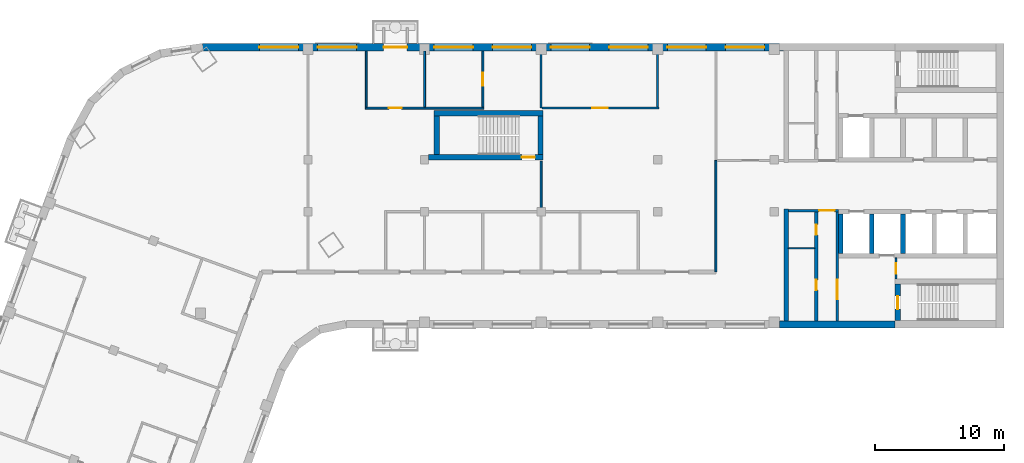
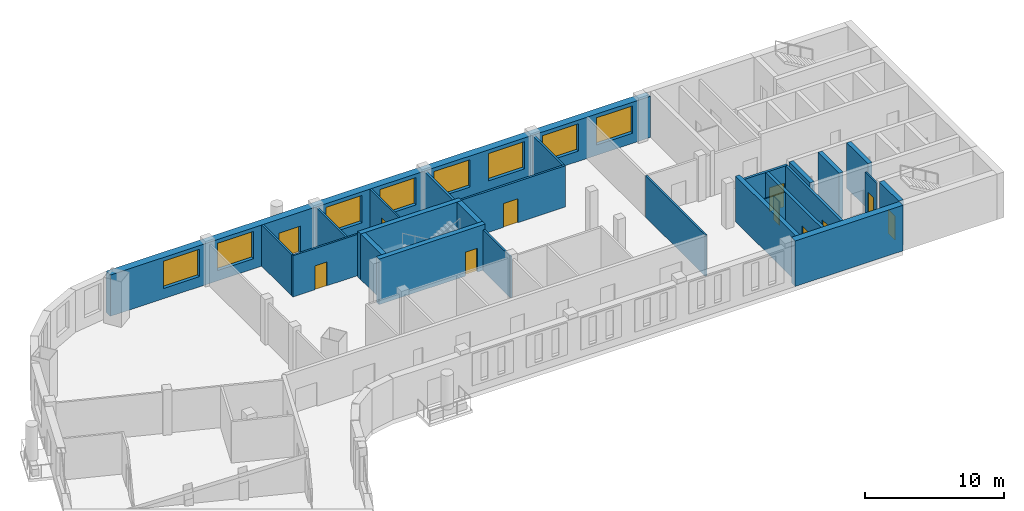
# One storey, part 5 of 10: 25 walls, 11 doors, 8 windows, 19 openings.
"""IFC4 building model written with IfcOpenShell, lengths in metres."""

from ifc_helpers import new_model, si_unit, direction, frame, frame_2d, origin, place, context, subcontext, project, spatial, rectangle, extrude, material, layer, layer_set, type_object, element, fill, save


model = new_model("IFC4")

# Units and contexts
model_context = context("Model", 3, precision=1e-05, world=origin(), true_north=direction((0.0, 1.0)))
body_context = subcontext(model_context, "Body", "Model", "MODEL_VIEW")
ifc_project = project(units=[si_unit("LENGTHUNIT", "METRE"), si_unit("AREAUNIT", "SQUARE_METRE"), si_unit("VOLUMEUNIT", "CUBIC_METRE"), si_unit("PLANEANGLEUNIT", "RADIAN"), si_unit("MASSUNIT", "GRAM", prefix="KILO")], contexts=[model_context])

# Site, building, storey
site_placement = place(None, origin())
site = spatial("IfcSite", under=ifc_project, at=site_placement, CompositionType="ELEMENT")
building_placement = place(site_placement, origin())
building = spatial("IfcBuilding", under=site, at=building_placement, Name="Skarvind Civic Tower", CompositionType="ELEMENT")
storey_placement = place(building_placement, frame((0.0, 0.0, 178.5)))
storey = spatial("IfcBuildingStorey", under=building, at=storey_placement, Name="L42", CompositionType="ELEMENT", Elevation=178.5)

# Wall
ifc_material_1 = material(Name="Acoustic gypsum board on steel studs", Category="steel")
ifc_layer_1 = layer(ifc_material_1, 0.175048828125)
ifc_layer_set_1 = layer_set([ifc_layer_1], Name="ACOUSTIC MEETING-ROOM PARTITION 175")
wall_type_1 = type_object("IfcWallType", Name="ACOUSTIC MEETING-ROOM PARTITION 175", PredefinedType="PARTITIONING", material=ifc_layer_set_1)
wall_1_placement = place(storey_placement, frame((72.25, 134.0, 0.0), z_axis=(0.0, 0.0, 1.0), x_axis=(0.0, 1.0, 0.0)))
element("IfcWall", 1, at=wall_1_placement, inside=storey, type_object=wall_type_1, Name="Partition 42.040", PredefinedType="PARTITIONING", context=body_context, shape_type="SweptSolid", body=[
    extrude(rectangle(XDim=4.39990234375, YDim=0.175048828125, at=frame_2d((2.199951171875, 0.0))), origin(), (0.0, 0.0, 1.0), 3.625),
])

# Wall, opening, door
wall_2_placement = place(storey_placement, frame((81.337890625, 134.0, 0.0), z_axis=(0.0, 0.0, 1.0), x_axis=(-1.0, 0.0, 0.0)))
wall_2 = element("IfcWall", 2, at=wall_2_placement, inside=storey, type_object=wall_type_1, Name="Partition 42.045", PredefinedType="PARTITIONING", context=body_context, shape_type="SweptSolid", body=[
    extrude(rectangle(XDim=9.0, YDim=0.175048828125, at=frame_2d((4.5, 0.0))), origin(), (0.0, 0.0, 1.0), 3.625),
])
opening_1_placement = place(wall_2_placement, frame((3.9541015625, 0.0, 0.0)))
opening_1 = element("IfcOpeningElement", 3, at=opening_1_placement, cuts=wall_2, Name="Opening L42-D004", PredefinedType="OPENING", context=body_context, shape_type="SweptSolid", body=[
    extrude(rectangle(XDim=1.199951171875, YDim=2.10009765625, at=frame_2d((0.60009765625, 1.050048828125))), frame((0.0, 0.097412109375, 0.0), z_axis=(0.0, -1.0, 0.0), x_axis=(1.0, 0.0, 0.0)), (0.0, 0.0, 1.0), 0.195068359375),
])
ifc_material_2 = material(Name="Timber door leaf", Category="wood")
door_type_1 = type_object("IfcDoorType", Name="DOOR 1200X2100 DOUBLE TIMBER", OperationType="NOTDEFINED", PredefinedType="DOOR", material=ifc_material_2)
door_1_placement = place(opening_1_placement, origin())
door_1 = element("IfcDoor", 4, at=door_1_placement, inside=storey, type_object=door_type_1, Name="Door L42-D004", OperationType="DOUBLE_DOOR_SINGLE_SWING", OverallHeight=2.10009765625, OverallWidth=1.199951171875, PredefinedType="DOOR", context=body_context, shape_type="SweptSolid", body=[
    extrude(rectangle(XDim=1.199951171875, YDim=2.10009765625, at=frame_2d((0.60009765625, 1.050048828125))), frame((0.0, 0.02490234375, 0.0), z_axis=(0.0, -1.0, 0.0), x_axis=(1.0, 0.0, 0.0)), (0.0, 0.0, 1.0), 0.050048828125),
])
fill(opening_1, door_1)

# Wall
wall_3_placement = place(storey_placement, frame((81.25, 138.39990234375, 0.0), z_axis=(0.0, 0.0, 1.0), x_axis=(0.0, -1.0, 0.0)))
element("IfcWall", 5, at=wall_3_placement, inside=storey, type_object=wall_type_1, Name="Partition 42.046", PredefinedType="PARTITIONING", context=body_context, shape_type="SweptSolid", body=[
    extrude(rectangle(XDim=4.31201171875, YDim=0.175048828125, at=frame_2d((2.156005859375, 0.0))), origin(), (0.0, 0.0, 1.0), 3.625),
])

# Wall, opening, door
ifc_material_3 = material(Name="Fire-rated masonry partition", Category="masonry")
ifc_layer_2 = layer(ifc_material_3, 0.199951171875)
ifc_layer_set_2 = layer_set([ifc_layer_2], Name="Core enclosure wall 200")
wall_type_2 = type_object("IfcWallType", Name="Core enclosure wall 200", PredefinedType="PARTITIONING", material=ifc_layer_set_2)
wall_4_placement = place(storey_placement, frame((95.22509765625, 126.074951171875, 0.0), z_axis=(0.0, 0.0, 1.0), x_axis=(-1.0, 0.0, 0.0)))
wall_4 = element("IfcWall", 6, at=wall_4_placement, inside=storey, type_object=wall_type_2, Name="Core wall C1", PredefinedType="PARTITIONING", context=body_context, shape_type="SweptSolid", body=[
    extrude(rectangle(XDim=3.875, YDim=0.199951171875, at=frame_2d((1.9375, 0.0))), origin(), (0.0, 0.0, 1.0), 3.625),
])
opening_2_placement = place(wall_4_placement, frame((0.300048828125, 0.0, 0.0)))
opening_2 = element("IfcOpeningElement", 7, at=opening_2_placement, cuts=wall_4, Name="Opening D-L42-C1-07", PredefinedType="OPENING", context=body_context, shape_type="SweptSolid", body=[
    extrude(rectangle(XDim=1.199951171875, YDim=2.10009765625, at=frame_2d((0.60009765625, 1.050048828125))), frame((0.0, 0.10986328125, 0.0), z_axis=(0.0, -1.0, 0.0), x_axis=(1.0, 0.0, 0.0)), (0.0, 0.0, 1.0), 0.219970703125),
])
ifc_material_4 = material(Name="Fire-rated steel door", Category="steel")
door_type_2 = type_object("IfcDoorType", Name="Core lobby door 1200", OperationType="NOTDEFINED", PredefinedType="DOOR", material=ifc_material_4)
door_2_placement = place(opening_2_placement, origin())
door_2 = element("IfcDoor", 8, at=door_2_placement, inside=storey, type_object=door_type_2, Name="Fire door", OperationType="DOUBLE_DOOR_SINGLE_SWING", OverallHeight=2.10009765625, OverallWidth=1.199951171875, PredefinedType="DOOR", context=body_context, shape_type="SweptSolid", body=[
    extrude(rectangle(XDim=1.199951171875, YDim=2.10009765625, at=frame_2d((0.60009765625, 1.050048828125))), frame((0.0, 0.02490234375, 0.0), z_axis=(0.0, -1.0, 0.0), x_axis=(1.0, 0.0, 0.0)), (0.0, 0.0, 1.0), 0.050048828125),
])
fill(opening_2, door_2)

wall_5_placement = place(storey_placement, frame((95.125, 117.550048828125, 0.0), z_axis=(0.0, 0.0, 1.0), x_axis=(0.0, 1.0, 0.0)))
wall_5 = element("IfcWall", 9, at=wall_5_placement, inside=storey, type_object=wall_type_2, Name="Core wall C1", PredefinedType="PARTITIONING", context=body_context, shape_type="SweptSolid", body=[
    extrude(rectangle(XDim=8.425048828125, YDim=0.199951171875, at=frame_2d((4.21240234375, 0.0))), origin(), (0.0, 0.0, 1.0), 3.625),
])
opening_3_placement = place(wall_5_placement, frame((1.6875, 0.0, 0.0)))
opening_3 = element("IfcOpeningElement", 10, at=opening_3_placement, cuts=wall_5, Name="Opening D-L42-C1-08", PredefinedType="OPENING", context=body_context, shape_type="SweptSolid", body=[
    extrude(rectangle(XDim=1.5, YDim=2.10009765625, at=frame_2d((0.75, 1.050048828125))), frame((0.0, 0.10986328125, 0.0), z_axis=(0.0, -1.0, 0.0), x_axis=(1.0, 0.0, 0.0)), (0.0, 0.0, 1.0), 0.219970703125),
])
door_type_3 = type_object("IfcDoorType", Name="Fire door 1500", OperationType="NOTDEFINED", PredefinedType="DOOR", material=ifc_material_4)
door_3_placement = place(opening_3_placement, origin())
door_3 = element("IfcDoor", 11, at=door_3_placement, inside=storey, type_object=door_type_3, Name="Fire door", OperationType="DOUBLE_DOOR_SINGLE_SWING", OverallHeight=2.10009765625, OverallWidth=1.5, PredefinedType="DOOR", context=body_context, shape_type="SweptSolid", body=[
    extrude(rectangle(XDim=1.5, YDim=2.10009765625, at=frame_2d((0.75, 1.050048828125))), frame((0.0, 0.02490234375, 0.0), z_axis=(0.0, -1.0, 0.0), x_axis=(1.0, 0.0, 0.0)), (0.0, 0.0, 1.0), 0.050048828125),
])
fill(opening_3, door_3)

# Walls
ifc_material_5 = material(Name="Fire-rated plasterboard partition")
ifc_layer_3 = layer(ifc_material_5, 0.10009765625)
ifc_layer_set_3 = layer_set([ifc_layer_3], Name="Core partition wall 100")
wall_type_3 = type_object("IfcWallType", Name="Core partition wall 100", PredefinedType="PARTITIONING", material=ifc_layer_set_3)
wall_6_placement = place(storey_placement, frame((93.375, 123.169921875, 0.0), z_axis=(0.0, 0.0, 1.0), x_axis=(-1.0, 0.0, 0.0)))
element("IfcWall", 12, at=wall_6_placement, inside=storey, type_object=wall_type_3, Name="Core wall C1", PredefinedType="PARTITIONING", context=body_context, shape_type="SweptSolid", body=[
    extrude(rectangle(XDim=2.02490234375, YDim=0.10009765625, at=frame_2d((1.012451171875, 0.0))), origin(), (0.0, 0.0, 1.0), 3.625),
])
ifc_material_6 = material(Name="Concrete C60", Category="concrete")
ifc_layer_4 = layer(ifc_material_6, 0.35009765625)
ifc_layer_set_4 = layer_set([ifc_layer_4], Name="Core wall 350 C60")
wall_type_4 = type_object("IfcWallType", Name="Core wall 350 C60", PredefinedType="SHEAR", material=ifc_layer_set_4)
for number, where, z_axis, x_axis, name in (
    (13, (100.199951171875, 125.824951171875, 0.0), (0.0, 0.0, 1.0), (0.0, -1.0, 0.0), "Core wall C1 north lift row division 3 L42"),
    (14, (97.800048828125, 125.824951171875, 0.0), (0.0, 0.0, 1.0), (0.0, -1.0, 0.0), "Core wall C1 north lift row division 4 L42"),
    (15, (95.39990234375, 125.824951171875, 0.0), (0.0, 0.0, 1.0), (0.0, -1.0, 0.0), "Core wall C1 north lift row division 5 L42"),
):
    element("IfcWall", number, at=place(storey_placement, frame(where, z_axis=z_axis, x_axis=x_axis)), inside=storey, type_object=wall_type_4, Name=name, PredefinedType="SHEAR", context=body_context, shape_type="SweptSolid", body=[
        extrude(rectangle(XDim=3.050048828125, YDim=0.35009765625, at=frame_2d((1.52490234375, 0.0))), origin(), (0.0, 0.0, 1.0), 4.0),
    ])
wall_7_placement = place(storey_placement, frame((91.175048828125, 126.199951171875, 0.0), z_axis=(0.0, 0.0, 1.0), x_axis=(0.0, -1.0, 0.0)))
element("IfcWall", 16, at=wall_7_placement, inside=storey, type_object=wall_type_4, Name="Core wall C1 north inner face L42", PredefinedType="SHEAR", context=body_context, shape_type="SweptSolid", body=[
    extrude(rectangle(XDim=8.64990234375, YDim=0.35009765625, at=frame_2d((4.324951171875, 0.0))), origin(), (0.0, 0.0, 1.0), 4.0),
])

# Wall, opening, door
ifc_layer_5 = layer(ifc_material_6, 0.39990234375)
ifc_layer_set_5 = layer_set([ifc_layer_5], Name="Core wall 400 C60")
wall_type_5 = type_object("IfcWallType", Name="Core wall 400 C60", PredefinedType="SHEAR", material=ifc_layer_set_5)
wall_8_placement = place(storey_placement, frame((99.800048828125, 120.39990234375, 0.0), z_axis=(0.0, 0.0, 1.0), x_axis=(0.0, -1.0, 0.0)))
wall_8 = element("IfcWall", 17, at=wall_8_placement, inside=storey, type_object=wall_type_5, Name="Core wall C1 north stair end L42", PredefinedType="SHEAR", context=body_context, shape_type="SweptSolid", body=[
    extrude(rectangle(XDim=2.7998046875, YDim=0.39990234375, at=frame_2d((1.39990234375, 0.0))), origin(), (0.0, 0.0, 1.0), 4.0),
])
opening_4_placement = place(wall_8_placement, frame((0.925048828125, 0.0, 0.0)))
opening_4 = element("IfcOpeningElement", 18, at=opening_4_placement, cuts=wall_8, Name="Opening D-L42-C1-09", PredefinedType="OPENING", context=body_context, shape_type="SweptSolid", body=[
    extrude(rectangle(XDim=1.0, YDim=2.10009765625, at=frame_2d((0.5, 1.050048828125))), frame((0.0, 0.2099609375, 0.0), z_axis=(0.0, -1.0, 0.0), x_axis=(1.0, 0.0, 0.0)), (0.0, 0.0, 1.0), 0.419921875),
])
door_type_4 = type_object("IfcDoorType", Name="Fire door 1000", OperationType="NOTDEFINED", PredefinedType="DOOR", material=ifc_material_4)
door_4_placement = place(opening_4_placement, origin())
door_4 = element("IfcDoor", 19, at=door_4_placement, inside=storey, type_object=door_type_4, Name="Fire door", OperationType="SINGLE_SWING_LEFT", OverallHeight=2.10009765625, OverallWidth=1.0, PredefinedType="DOOR", context=body_context, shape_type="SweptSolid", body=[
    extrude(rectangle(XDim=1.0, YDim=2.10009765625, at=frame_2d((0.5, 1.050048828125))), frame((0.0, 0.02490234375, 0.0), z_axis=(0.0, -1.0, 0.0), x_axis=(1.0, 0.0, 0.0)), (0.0, 0.0, 1.0), 0.050048828125),
])
fill(opening_4, door_4)

wall_9_placement = place(storey_placement, frame((63.574951171875, 130.199951171875, 0.0), z_axis=(0.0, 0.0, 1.0), x_axis=(1.0, 0.0, 0.0)))
wall_9 = element("IfcWall", 20, at=wall_9_placement, inside=storey, type_object=wall_type_5, Name="Core wall CM inner L42", PredefinedType="SHEAR", context=body_context, shape_type="SweptSolid", body=[
    extrude(rectangle(XDim=8.824951171875, YDim=0.39990234375, at=frame_2d((4.41259765625, 0.0))), origin(), (0.0, 0.0, 1.0), 4.0),
])
opening_5_placement = place(wall_9_placement, frame((7.199951171875, 0.0, 0.0)))
opening_5 = element("IfcOpeningElement", 21, at=opening_5_placement, cuts=wall_9, Name="Opening D-L42-CM-01", PredefinedType="OPENING", context=body_context, shape_type="SweptSolid", body=[
    extrude(rectangle(XDim=1.0, YDim=2.10009765625, at=frame_2d((0.5, 1.050048828125))), frame((0.0, 0.2099609375, 0.0), z_axis=(0.0, -1.0, 0.0), x_axis=(1.0, 0.0, 0.0)), (0.0, 0.0, 1.0), 0.419921875),
])
door_5_placement = place(opening_5_placement, origin())
door_5 = element("IfcDoor", 22, at=door_5_placement, inside=storey, type_object=door_type_4, Name="Fire door", OperationType="SINGLE_SWING_LEFT", OverallHeight=2.10009765625, OverallWidth=1.0, PredefinedType="DOOR", context=body_context, shape_type="SweptSolid", body=[
    extrude(rectangle(XDim=1.0, YDim=2.10009765625, at=frame_2d((0.5, 1.050048828125))), frame((0.0, 0.02490234375, 0.0), z_axis=(0.0, -1.0, 0.0), x_axis=(1.0, 0.0, 0.0)), (0.0, 0.0, 1.0), 0.050048828125),
])
fill(opening_5, door_5)

# Walls
wall_10_placement = place(storey_placement, frame((64.0, 133.60009765625, 0.0), z_axis=(0.0, 0.0, 1.0), x_axis=(1.0, 0.0, 0.0)))
element("IfcWall", 23, at=wall_10_placement, inside=storey, type_object=wall_type_5, Name="Core wall CM outer L42", PredefinedType="SHEAR", context=body_context, shape_type="SweptSolid", body=[
    extrude(rectangle(XDim=8.39990234375, YDim=0.39990234375, at=frame_2d((4.199951171875, 0.0))), origin(), (0.0, 0.0, 1.0), 4.0),
])
for number, where, z_axis, x_axis, name in (
    (24, (64.199951171875, 130.39990234375, 0.0), (0.0, 0.0, 1.0), (0.0, 1.0, 0.0), "Core wall CM west L42"),
    (25, (72.199951171875, 130.39990234375, 0.0), (0.0, 0.0, 1.0), (0.0, 1.0, 0.0), "Core wall CM end L42"),
):
    element("IfcWall", number, at=place(storey_placement, frame(where, z_axis=z_axis, x_axis=x_axis)), inside=storey, type_object=wall_type_5, Name=name, PredefinedType="SHEAR", context=body_context, shape_type="SweptSolid", body=[
        extrude(rectangle(XDim=3.0, YDim=0.39990234375, at=frame_2d((1.5, 0.0))), origin(), (0.0, 0.0, 1.0), 4.0),
    ])
ifc_layer_6 = layer(ifc_material_6, 0.550048828125)
ifc_layer_set_6 = layer_set([ifc_layer_6], Name="Core wall 550 C60")
wall_type_6 = type_object("IfcWallType", Name="Core wall 550 C60", PredefinedType="SHEAR", material=ifc_layer_set_6)
wall_11_placement = place(storey_placement, frame((99.60009765625, 117.27490234375, 0.0), z_axis=(0.0, 0.0, 1.0), x_axis=(-1.0, 0.0, 0.0)))
element("IfcWall", 26, at=wall_11_placement, inside=storey, type_object=wall_type_6, Name="Core wall C1 north side L42", PredefinedType="SHEAR", context=body_context, shape_type="SweptSolid", body=[
    extrude(rectangle(XDim=8.9501953125, YDim=0.550048828125, at=frame_2d((4.47509765625, 0.0))), origin(), (0.0, 0.0, 1.0), 4.0),
])
ifc_material_7 = material(Name="Plasterboard partition on steel studs", Category="steel")
ifc_layer_7 = layer(ifc_material_7, 0.14990234375)
ifc_layer_set_7 = layer_set([ifc_layer_7], Name="PARTITION 150")
wall_type_7 = type_object("IfcWallType", Name="PARTITION 150", PredefinedType="PARTITIONING", material=ifc_layer_set_7)
wall_12_placement = place(storey_placement, frame((58.75, 134.074951171875, 0.0), z_axis=(0.0, 0.0, 1.0), x_axis=(0.0, 1.0, 0.0)))
element("IfcWall", 27, at=wall_12_placement, inside=storey, type_object=wall_type_7, Name="Partition 42.028", PredefinedType="PARTITIONING", context=body_context, shape_type="SweptSolid", body=[
    extrude(rectangle(XDim=4.324951171875, YDim=0.14990234375, at=frame_2d((2.16259765625, 0.0))), origin(), (0.0, 0.0, 1.0), 3.625),
])

# Wall, opening, door
wall_13_placement = place(storey_placement, frame((67.824951171875, 134.0, 0.0), z_axis=(0.0, 0.0, 1.0), x_axis=(-1.0, 0.0, 0.0)))
wall_13 = element("IfcWall", 28, at=wall_13_placement, inside=storey, type_object=wall_type_7, Name="Partition 42.029", PredefinedType="PARTITIONING", context=body_context, shape_type="SweptSolid", body=[
    extrude(rectangle(XDim=9.14990234375, YDim=0.14990234375, at=frame_2d((4.574951171875, 0.0))), origin(), (0.0, 0.0, 1.0), 3.625),
])
opening_6_placement = place(wall_13_placement, frame((6.324951171875, 0.0, 0.0)))
opening_6 = element("IfcOpeningElement", 29, at=opening_6_placement, cuts=wall_13, Name="Opening L42-D010", PredefinedType="OPENING", context=body_context, shape_type="SweptSolid", body=[
    extrude(rectangle(XDim=1.0, YDim=2.10009765625, at=frame_2d((0.5, 1.050048828125))), frame((0.0, 0.0849609375, 0.0), z_axis=(0.0, -1.0, 0.0), x_axis=(1.0, 0.0, 0.0)), (0.0, 0.0, 1.0), 0.169921875),
])
door_type_5 = type_object("IfcDoorType", Name="D1 1000x2100", OperationType="NOTDEFINED", PredefinedType="DOOR", material=ifc_material_2)
door_6_placement = place(opening_6_placement, origin())
door_6 = element("IfcDoor", 30, at=door_6_placement, inside=storey, type_object=door_type_5, Name="Door L42-D010", OperationType="SINGLE_SWING_RIGHT", OverallHeight=2.10009765625, OverallWidth=1.0, PredefinedType="DOOR", context=body_context, shape_type="SweptSolid", body=[
    extrude(rectangle(XDim=1.0, YDim=2.10009765625, at=frame_2d((0.5, 1.050048828125))), frame((0.0, 0.02490234375, 0.0), z_axis=(0.0, -1.0, 0.0), x_axis=(1.0, 0.0, 0.0)), (0.0, 0.0, 1.0), 0.050048828125),
])
fill(opening_6, door_6)

# Wall
wall_14_placement = place(storey_placement, frame((63.25, 134.074951171875, 0.0), z_axis=(0.0, 0.0, 1.0), x_axis=(0.0, 1.0, 0.0)))
element("IfcWall", 31, at=wall_14_placement, inside=storey, type_object=wall_type_7, Name="Partition 42.034", PredefinedType="PARTITIONING", context=body_context, shape_type="SweptSolid", body=[
    extrude(rectangle(XDim=4.324951171875, YDim=0.14990234375, at=frame_2d((2.16259765625, 0.0))), origin(), (0.0, 0.0, 1.0), 3.625),
])

# Wall, opening, door
wall_15_placement = place(storey_placement, frame((67.75, 138.39990234375, 0.0), z_axis=(0.0, 0.0, 1.0), x_axis=(0.0, -1.0, 0.0)))
wall_15 = element("IfcWall", 32, at=wall_15_placement, inside=storey, type_object=wall_type_7, Name="Partition 42.036", PredefinedType="PARTITIONING", context=body_context, shape_type="SweptSolid", body=[
    extrude(rectangle(XDim=4.324951171875, YDim=0.14990234375, at=frame_2d((2.16259765625, 0.0))), origin(), (0.0, 0.0, 1.0), 3.625),
])
opening_7_placement = place(wall_15_placement, frame((1.672607421875, 0.0, 0.0)))
opening_7 = element("IfcOpeningElement", 33, at=opening_7_placement, cuts=wall_15, Name="Opening L42-D009", PredefinedType="OPENING", context=body_context, shape_type="SweptSolid", body=[
    extrude(rectangle(XDim=1.0, YDim=2.10009765625, at=frame_2d((0.5, 1.050048828125))), frame((0.0, 0.0849609375, 0.0), z_axis=(0.0, -1.0, 0.0), x_axis=(1.0, 0.0, 0.0)), (0.0, 0.0, 1.0), 0.169921875),
])
door_7_placement = place(opening_7_placement, origin())
door_7 = element("IfcDoor", 34, at=door_7_placement, inside=storey, type_object=door_type_5, Name="Door L42-D009", OperationType="SINGLE_SWING_LEFT", OverallHeight=2.10009765625, OverallWidth=1.0, PredefinedType="DOOR", context=body_context, shape_type="SweptSolid", body=[
    extrude(rectangle(XDim=1.0, YDim=2.10009765625, at=frame_2d((0.5, 1.050048828125))), frame((0.0, 0.02490234375, 0.0), z_axis=(0.0, -1.0, 0.0), x_axis=(1.0, 0.0, 0.0)), (0.0, 0.0, 1.0), 0.050048828125),
])
fill(opening_7, door_7)

# Walls
wall_16_placement = place(storey_placement, frame((72.25, 126.0, 0.0), z_axis=(0.0, 0.0, 1.0), x_axis=(0.0, 1.0, 0.0)))
element("IfcWall", 35, at=wall_16_placement, inside=storey, type_object=wall_type_7, Name="Partition 42.038", PredefinedType="PARTITIONING", context=body_context, shape_type="SweptSolid", body=[
    extrude(rectangle(XDim=3.89990234375, YDim=0.14990234375, at=frame_2d((1.949951171875, 0.0))), origin(), (0.0, 0.0, 1.0), 3.625),
])
wall_17_placement = place(storey_placement, frame((85.75, 121.35009765625, 0.0), z_axis=(0.0, 0.0, 1.0), x_axis=(0.0, 1.0, 0.0)))
element("IfcWall", 36, at=wall_17_placement, inside=storey, type_object=wall_type_7, Name="Partition 42.047", PredefinedType="PARTITIONING", context=body_context, shape_type="SweptSolid", body=[
    extrude(rectangle(XDim=8.599853515625, YDim=0.14990234375, at=frame_2d((4.2998046875, 0.0))), origin(), (0.0, 0.0, 1.0), 3.625),
])

# Wall, opening, door
ifc_layer_8 = layer(ifc_material_3, 0.125)
ifc_layer_set_8 = layer_set([ifc_layer_8], Name="Riser wall 125")
wall_type_8 = type_object("IfcWallType", Name="Riser wall 125", PredefinedType="PARTITIONING", material=ifc_layer_set_8)
wall_18_placement = place(storey_placement, frame((99.66259765625, 120.800048828125, 0.0), z_axis=(0.0, 0.0, 1.0), x_axis=(0.0, 1.0, 0.0)))
wall_18 = element("IfcWall", 37, at=wall_18_placement, inside=storey, type_object=wall_type_8, Name="Core wall C1", PredefinedType="PARTITIONING", context=body_context, shape_type="SweptSolid", body=[
    extrude(rectangle(XDim=1.625, YDim=0.125, at=frame_2d((0.8125, 0.0))), origin(), (0.0, 0.0, 1.0), 3.625),
])
opening_8_placement = place(wall_18_placement, frame((0.41259765625, 0.0, 0.0)))
opening_8 = element("IfcOpeningElement", 38, at=opening_8_placement, cuts=wall_18, Name="Opening D-L42-C1-10", PredefinedType="OPENING", context=body_context, shape_type="SweptSolid", body=[
    extrude(rectangle(XDim=0.800048828125, YDim=2.10009765625, at=frame_2d((0.39990234375, 1.050048828125))), frame((0.0, 0.072509765625, 0.0), z_axis=(0.0, -1.0, 0.0), x_axis=(1.0, 0.0, 0.0)), (0.0, 0.0, 1.0), 0.14501953125),
])
door_type_6 = type_object("IfcDoorType", Name="Core riser door 800", OperationType="NOTDEFINED", PredefinedType="DOOR", material=ifc_material_4)
door_8_placement = place(opening_8_placement, origin())
door_8 = element("IfcDoor", 39, at=door_8_placement, inside=storey, type_object=door_type_6, Name="Riser door", OperationType="SINGLE_SWING_RIGHT", OverallHeight=2.10009765625, OverallWidth=0.800048828125, PredefinedType="DOOR", context=body_context, shape_type="SweptSolid", body=[
    extrude(rectangle(XDim=0.800048828125, YDim=2.10009765625, at=frame_2d((0.39990234375, 1.050048828125))), frame((0.0, 0.02490234375, 0.0), z_axis=(0.0, -1.0, 0.0), x_axis=(1.0, 0.0, 0.0)), (0.0, 0.0, 1.0), 0.050048828125),
])
fill(opening_8, door_8)

# Wall, openings, doors
ifc_layer_9 = layer(ifc_material_3, 0.25)
ifc_layer_set_9 = layer_set([ifc_layer_9], Name="Service block wall 250")
wall_type_9 = type_object("IfcWallType", Name="Service block wall 250", PredefinedType="PARTITIONING", material=ifc_layer_set_9)
wall_19_placement = place(storey_placement, frame((93.5, 117.550048828125, 0.0), z_axis=(0.0, 0.0, 1.0), x_axis=(0.0, 1.0, 0.0)))
wall_19 = element("IfcWall", 40, at=wall_19_placement, inside=storey, type_object=wall_type_9, Name="Core wall C1", PredefinedType="PARTITIONING", context=body_context, shape_type="SweptSolid", body=[
    extrude(rectangle(XDim=8.425048828125, YDim=0.25, at=frame_2d((4.21240234375, 0.0))), origin(), (0.0, 0.0, 1.0), 3.625),
])
opening_9_placement = place(wall_19_placement, frame((6.6474609375, 0.0, 0.0)))
opening_9 = element("IfcOpeningElement", 41, at=opening_9_placement, cuts=wall_19, Name="Opening D-L42-C1-11", PredefinedType="OPENING", context=body_context, shape_type="SweptSolid", body=[
    extrude(rectangle(XDim=0.800048828125, YDim=2.10009765625, at=frame_2d((0.39990234375, 1.050048828125))), frame((0.0, 0.135009765625, 0.0), z_axis=(0.0, -1.0, 0.0), x_axis=(1.0, 0.0, 0.0)), (0.0, 0.0, 1.0), 0.27001953125),
])
opening_10_placement = place(wall_19_placement, frame((2.385009765625, 0.0, 0.0)))
opening_10 = element("IfcOpeningElement", 42, at=opening_10_placement, cuts=wall_19, Name="Opening D-L42-C1-12", PredefinedType="OPENING", context=body_context, shape_type="SweptSolid", body=[
    extrude(rectangle(XDim=0.800048828125, YDim=2.10009765625, at=frame_2d((0.39990234375, 1.050048828125))), frame((0.0, 0.135009765625, 0.0), z_axis=(0.0, -1.0, 0.0), x_axis=(1.0, 0.0, 0.0)), (0.0, 0.0, 1.0), 0.27001953125),
])
door_9_placement = place(opening_9_placement, origin())
door_9 = element("IfcDoor", 43, at=door_9_placement, inside=storey, type_object=door_type_6, Name="Riser door", OperationType="SINGLE_SWING_LEFT", OverallHeight=2.10009765625, OverallWidth=0.800048828125, PredefinedType="DOOR", context=body_context, shape_type="SweptSolid", body=[
    extrude(rectangle(XDim=0.800048828125, YDim=2.10009765625, at=frame_2d((0.39990234375, 1.050048828125))), frame((0.0, 0.02490234375, 0.0), z_axis=(0.0, -1.0, 0.0), x_axis=(1.0, 0.0, 0.0)), (0.0, 0.0, 1.0), 0.050048828125),
])
fill(opening_9, door_9)
door_10_placement = place(opening_10_placement, origin())
door_10 = element("IfcDoor", 44, at=door_10_placement, inside=storey, type_object=door_type_6, Name="Riser door", OperationType="SINGLE_SWING_RIGHT", OverallHeight=2.10009765625, OverallWidth=0.800048828125, PredefinedType="DOOR", context=body_context, shape_type="SweptSolid", body=[
    extrude(rectangle(XDim=0.800048828125, YDim=2.10009765625, at=frame_2d((0.39990234375, 1.050048828125))), frame((0.0, 0.02490234375, 0.0), z_axis=(0.0, -1.0, 0.0), x_axis=(1.0, 0.0, 0.0)), (0.0, 0.0, 1.0), 0.050048828125),
])
fill(opening_10, door_10)

# Wall, openings, door, windows
ifc_material_8 = material(Name="Limestone masonry cladding on insulated backing", Category="masonry")
ifc_layer_10 = layer(ifc_material_8, 0.60009765625)
ifc_layer_set_10 = layer_set([ifc_layer_10], Name="WX1 STONE FACADE WALL 600")
wall_type_10 = type_object("IfcWallType", Name="WX1 STONE FACADE WALL 600", PredefinedType="SOLIDWALL", material=ifc_layer_set_10)
wall_20_placement = place(storey_placement, frame((46.095458984375, 138.699951171875, 0.0), z_axis=(0.0, 0.0, 1.0), x_axis=(1.0, 0.0, 0.0)))
wall_20 = element("IfcWall", 45, at=wall_20_placement, inside=storey, type_object=wall_type_10, Name="STONE FACADE WALL", PredefinedType="SOLIDWALL", context=body_context, shape_type="SweptSolid", body=[
    extrude(rectangle(XDim=44.884521484375, YDim=0.60009765625, at=frame_2d((22.4423828125, 0.0))), origin(), (0.0, 0.0, 1.0), 3.625),
])
opening_11_placement = place(wall_20_placement, frame((4.404541015625, 0.0, 0.89990234375)))
opening_11 = element("IfcOpeningElement", 46, at=opening_11_placement, cuts=wall_20, Name="Opening WN1", PredefinedType="OPENING", context=body_context, shape_type="SweptSolid", body=[
    extrude(rectangle(XDim=3.0, YDim=2.39990234375, at=frame_2d((1.5, 1.199951171875))), frame((0.0, 0.31005859375, 0.0), z_axis=(0.0, -1.0, 0.0), x_axis=(1.0, 0.0, 0.0)), (0.0, 0.0, 1.0), 0.6201171875),
])
opening_12_placement = place(wall_20_placement, frame((8.904541015625, 0.0, 0.89990234375)))
opening_12 = element("IfcOpeningElement", 47, at=opening_12_placement, cuts=wall_20, Name="Opening WN1", PredefinedType="OPENING", context=body_context, shape_type="SweptSolid", body=[
    extrude(rectangle(XDim=3.0, YDim=2.39990234375, at=frame_2d((1.5, 1.199951171875))), frame((0.0, 0.31005859375, 0.0), z_axis=(0.0, -1.0, 0.0), x_axis=(1.0, 0.0, 0.0)), (0.0, 0.0, 1.0), 0.6201171875),
])
opening_13_placement = place(wall_20_placement, frame((14.00439453125, 0.0, 0.0)))
opening_13 = element("IfcOpeningElement", 48, at=opening_13_placement, cuts=wall_20, Name="Opening DX3", PredefinedType="OPENING", context=body_context, shape_type="SweptSolid", body=[
    extrude(rectangle(XDim=1.800048828125, YDim=2.39990234375, at=frame_2d((0.89990234375, 1.199951171875))), frame((0.0, 0.31005859375, 0.0), z_axis=(0.0, -1.0, 0.0), x_axis=(1.0, 0.0, 0.0)), (0.0, 0.0, 1.0), 0.6201171875),
])
opening_14_placement = place(wall_20_placement, frame((17.904541015625, 0.0, 0.89990234375)))
opening_14 = element("IfcOpeningElement", 49, at=opening_14_placement, cuts=wall_20, Name="Opening WN1", PredefinedType="OPENING", context=body_context, shape_type="SweptSolid", body=[
    extrude(rectangle(XDim=3.0, YDim=2.39990234375, at=frame_2d((1.5, 1.199951171875))), frame((0.0, 0.31005859375, 0.0), z_axis=(0.0, -1.0, 0.0), x_axis=(1.0, 0.0, 0.0)), (0.0, 0.0, 1.0), 0.6201171875),
])
opening_15_placement = place(wall_20_placement, frame((22.404541015625, 0.0, 0.89990234375)))
opening_15 = element("IfcOpeningElement", 50, at=opening_15_placement, cuts=wall_20, Name="Opening WN1", PredefinedType="OPENING", context=body_context, shape_type="SweptSolid", body=[
    extrude(rectangle(XDim=3.0, YDim=2.39990234375, at=frame_2d((1.5, 1.199951171875))), frame((0.0, 0.31005859375, 0.0), z_axis=(0.0, -1.0, 0.0), x_axis=(1.0, 0.0, 0.0)), (0.0, 0.0, 1.0), 0.6201171875),
])
opening_16_placement = place(wall_20_placement, frame((26.904541015625, 0.0, 0.89990234375)))
opening_16 = element("IfcOpeningElement", 51, at=opening_16_placement, cuts=wall_20, Name="Opening WN1", PredefinedType="OPENING", context=body_context, shape_type="SweptSolid", body=[
    extrude(rectangle(XDim=3.0, YDim=2.39990234375, at=frame_2d((1.5, 1.199951171875))), frame((0.0, 0.31005859375, 0.0), z_axis=(0.0, -1.0, 0.0), x_axis=(1.0, 0.0, 0.0)), (0.0, 0.0, 1.0), 0.6201171875),
])
opening_17_placement = place(wall_20_placement, frame((31.404541015625, 0.0, 0.89990234375)))
opening_17 = element("IfcOpeningElement", 52, at=opening_17_placement, cuts=wall_20, Name="Opening WN1", PredefinedType="OPENING", context=body_context, shape_type="SweptSolid", body=[
    extrude(rectangle(XDim=3.0, YDim=2.39990234375, at=frame_2d((1.5, 1.199951171875))), frame((0.0, 0.31005859375, 0.0), z_axis=(0.0, -1.0, 0.0), x_axis=(1.0, 0.0, 0.0)), (0.0, 0.0, 1.0), 0.6201171875),
])
opening_18_placement = place(wall_20_placement, frame((35.904541015625, 0.0, 0.89990234375)))
opening_18 = element("IfcOpeningElement", 53, at=opening_18_placement, cuts=wall_20, Name="Opening WN1", PredefinedType="OPENING", context=body_context, shape_type="SweptSolid", body=[
    extrude(rectangle(XDim=3.0, YDim=2.39990234375, at=frame_2d((1.5, 1.199951171875))), frame((0.0, 0.31005859375, 0.0), z_axis=(0.0, -1.0, 0.0), x_axis=(1.0, 0.0, 0.0)), (0.0, 0.0, 1.0), 0.6201171875),
])
opening_19_placement = place(wall_20_placement, frame((40.404541015625, 0.0, 0.89990234375)))
opening_19 = element("IfcOpeningElement", 54, at=opening_19_placement, cuts=wall_20, Name="Opening WN1", PredefinedType="OPENING", context=body_context, shape_type="SweptSolid", body=[
    extrude(rectangle(XDim=3.0, YDim=2.39990234375, at=frame_2d((1.5, 1.199951171875))), frame((0.0, 0.31005859375, 0.0), z_axis=(0.0, -1.0, 0.0), x_axis=(1.0, 0.0, 0.0)), (0.0, 0.0, 1.0), 0.6201171875),
])
ifc_material_9 = material(Name="Timber and glass doorset", Category="wood")
door_type_7 = type_object("IfcDoorType", Name="DX3 TERRACE DOORS 1800 x 2400", OperationType="NOTDEFINED", PredefinedType="DOOR", material=ifc_material_9)
door_11_placement = place(opening_13_placement, origin())
door_11 = element("IfcDoor", 55, at=door_11_placement, inside=storey, type_object=door_type_7, Name="TERRACE DOORS", OperationType="DOUBLE_DOOR_SINGLE_SWING", OverallHeight=2.39990234375, OverallWidth=1.800048828125, PredefinedType="DOOR", context=body_context, shape_type="SweptSolid", body=[
    extrude(rectangle(XDim=1.800048828125, YDim=2.39990234375, at=frame_2d((0.89990234375, 1.199951171875))), frame((0.0, 0.02490234375, 0.0), z_axis=(0.0, -1.0, 0.0), x_axis=(1.0, 0.0, 0.0)), (0.0, 0.0, 1.0), 0.050048828125),
])
fill(opening_13, door_11)
ifc_material_10 = material(Name="Timber frame, double glazing, timber-lined reveal", Category="wood")
window_type = type_object("IfcWindowType", Name="WN1 PUNCHED STONE WINDOW 3000 x 2400", PartitioningType="SINGLE_PANEL", PredefinedType="WINDOW", material=ifc_material_10)
window_1_placement = place(opening_11_placement, origin())
window_1 = element("IfcWindow", 56, at=window_1_placement, inside=storey, type_object=window_type, Name="WN1 WINDOW", OverallHeight=2.39990234375, OverallWidth=3.0, PartitioningType="SINGLE_PANEL", PredefinedType="WINDOW", context=body_context, shape_type="SweptSolid", body=[
    extrude(rectangle(XDim=3.0, YDim=2.39990234375, at=frame_2d((1.5, 1.199951171875))), frame((0.0, 0.030029296875, 0.0), z_axis=(0.0, -1.0, 0.0), x_axis=(1.0, 0.0, 0.0)), (0.0, 0.0, 1.0), 0.06005859375),
])
fill(opening_11, window_1)
window_2_placement = place(opening_12_placement, origin())
window_2 = element("IfcWindow", 57, at=window_2_placement, inside=storey, type_object=window_type, Name="WN1 WINDOW", OverallHeight=2.39990234375, OverallWidth=3.0, PartitioningType="SINGLE_PANEL", PredefinedType="WINDOW", context=body_context, shape_type="SweptSolid", body=[
    extrude(rectangle(XDim=3.0, YDim=2.39990234375, at=frame_2d((1.5, 1.199951171875))), frame((0.0, 0.030029296875, 0.0), z_axis=(0.0, -1.0, 0.0), x_axis=(1.0, 0.0, 0.0)), (0.0, 0.0, 1.0), 0.06005859375),
])
fill(opening_12, window_2)
window_3_placement = place(opening_14_placement, origin())
window_3 = element("IfcWindow", 58, at=window_3_placement, inside=storey, type_object=window_type, Name="WN1 WINDOW", OverallHeight=2.39990234375, OverallWidth=3.0, PartitioningType="SINGLE_PANEL", PredefinedType="WINDOW", context=body_context, shape_type="SweptSolid", body=[
    extrude(rectangle(XDim=3.0, YDim=2.39990234375, at=frame_2d((1.5, 1.199951171875))), frame((0.0, 0.030029296875, 0.0), z_axis=(0.0, -1.0, 0.0), x_axis=(1.0, 0.0, 0.0)), (0.0, 0.0, 1.0), 0.06005859375),
])
fill(opening_14, window_3)
window_4_placement = place(opening_15_placement, origin())
window_4 = element("IfcWindow", 59, at=window_4_placement, inside=storey, type_object=window_type, Name="WN1 WINDOW", OverallHeight=2.39990234375, OverallWidth=3.0, PartitioningType="SINGLE_PANEL", PredefinedType="WINDOW", context=body_context, shape_type="SweptSolid", body=[
    extrude(rectangle(XDim=3.0, YDim=2.39990234375, at=frame_2d((1.5, 1.199951171875))), frame((0.0, 0.030029296875, 0.0), z_axis=(0.0, -1.0, 0.0), x_axis=(1.0, 0.0, 0.0)), (0.0, 0.0, 1.0), 0.06005859375),
])
fill(opening_15, window_4)
window_5_placement = place(opening_16_placement, origin())
window_5 = element("IfcWindow", 60, at=window_5_placement, inside=storey, type_object=window_type, Name="WN1 WINDOW", OverallHeight=2.39990234375, OverallWidth=3.0, PartitioningType="SINGLE_PANEL", PredefinedType="WINDOW", context=body_context, shape_type="SweptSolid", body=[
    extrude(rectangle(XDim=3.0, YDim=2.39990234375, at=frame_2d((1.5, 1.199951171875))), frame((0.0, 0.030029296875, 0.0), z_axis=(0.0, -1.0, 0.0), x_axis=(1.0, 0.0, 0.0)), (0.0, 0.0, 1.0), 0.06005859375),
])
fill(opening_16, window_5)
window_6_placement = place(opening_17_placement, origin())
window_6 = element("IfcWindow", 61, at=window_6_placement, inside=storey, type_object=window_type, Name="WN1 WINDOW", OverallHeight=2.39990234375, OverallWidth=3.0, PartitioningType="SINGLE_PANEL", PredefinedType="WINDOW", context=body_context, shape_type="SweptSolid", body=[
    extrude(rectangle(XDim=3.0, YDim=2.39990234375, at=frame_2d((1.5, 1.199951171875))), frame((0.0, 0.030029296875, 0.0), z_axis=(0.0, -1.0, 0.0), x_axis=(1.0, 0.0, 0.0)), (0.0, 0.0, 1.0), 0.06005859375),
])
fill(opening_17, window_6)
window_7_placement = place(opening_18_placement, origin())
window_7 = element("IfcWindow", 62, at=window_7_placement, inside=storey, type_object=window_type, Name="WN1 WINDOW", OverallHeight=2.39990234375, OverallWidth=3.0, PartitioningType="SINGLE_PANEL", PredefinedType="WINDOW", context=body_context, shape_type="SweptSolid", body=[
    extrude(rectangle(XDim=3.0, YDim=2.39990234375, at=frame_2d((1.5, 1.199951171875))), frame((0.0, 0.030029296875, 0.0), z_axis=(0.0, -1.0, 0.0), x_axis=(1.0, 0.0, 0.0)), (0.0, 0.0, 1.0), 0.06005859375),
])
fill(opening_18, window_7)
window_8_placement = place(opening_19_placement, origin())
window_8 = element("IfcWindow", 63, at=window_8_placement, inside=storey, type_object=window_type, Name="WN1 WINDOW", OverallHeight=2.39990234375, OverallWidth=3.0, PartitioningType="SINGLE_PANEL", PredefinedType="WINDOW", context=body_context, shape_type="SweptSolid", body=[
    extrude(rectangle(XDim=3.0, YDim=2.39990234375, at=frame_2d((1.5, 1.199951171875))), frame((0.0, 0.030029296875, 0.0), z_axis=(0.0, -1.0, 0.0), x_axis=(1.0, 0.0, 0.0)), (0.0, 0.0, 1.0), 0.06005859375),
])
fill(opening_19, window_8)

save(model, "model.ifc")
